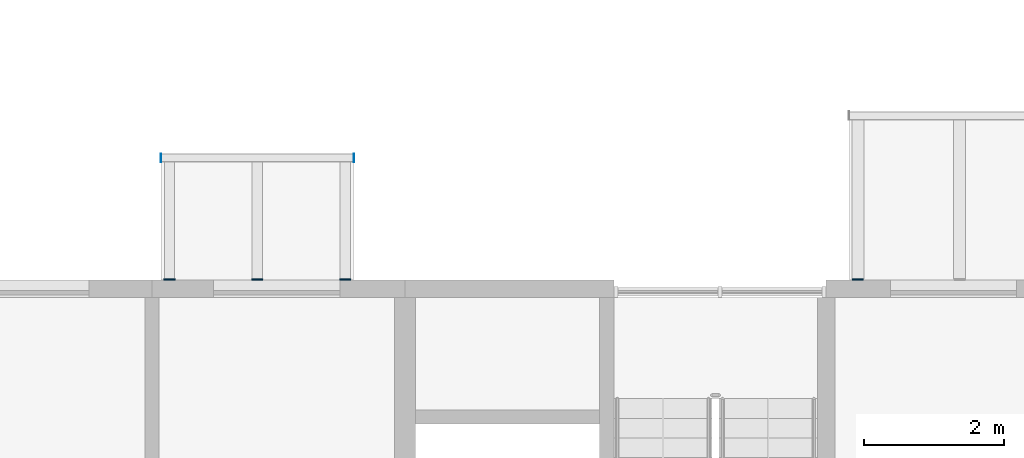
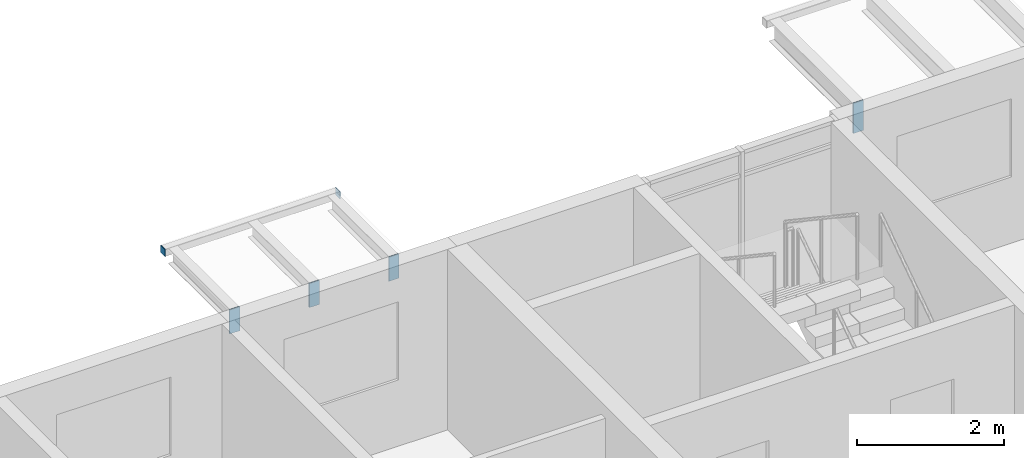
# One storey, part 71 of 94: 6 discrete accessories.
"""IFC4 building model written with IfcOpenShell, lengths in metres."""

import ifcopenshell
import ifcopenshell.guid

model = None  # the IFC model being written
_history = None  # IfcOwnerHistory: only IFC2X3 demands one
_inside = {}  # id of a spatial element -> (the spatial element, [elements in it])
_under = {}  # id of a project, library or spatial element -> (it, [spatial elements below it])
_declared = {}  # id of a project -> (the project, [libraries it declares])
_typed = {}  # id of a type object -> (the type object, [elements of that type])
_made_of = {}  # id of a material, layer set ... -> (it, [elements and type objects made of it])


def new_model(schema):
    """Start an empty IFC model of exactly this schema.

    Asked for "IFC4X3", IfcOpenShell would pick the latest addendum, in which some entities
    have other attributes; the version numbers below select the first issue.
    IFC2X3 requires an IfcOwnerHistory on every rooted entity: one is made here for all.
    """
    global model, _history
    if schema == "IFC4X3":
        model = ifcopenshell.file(schema_version=(4, 3, 0, 0))
    else:
        model = ifcopenshell.file(schema=schema)
    _inside.clear()
    _under.clear()
    _declared.clear()
    _typed.clear()
    _made_of.clear()
    _history = None
    if model.schema == "IFC2X3":
        org = make("IfcOrganization", Name="unknown")
        user = make(
            "IfcPersonAndOrganization",
            ThePerson=make("IfcPerson", FamilyName="unknown"),
            TheOrganization=org,
        )
        app = make(
            "IfcApplication",
            ApplicationDeveloper=org,
            Version="unknown",
            ApplicationFullName="unknown",
            ApplicationIdentifier="unknown",
        )
        _history = make(
            "IfcOwnerHistory",
            OwningUser=user,
            OwningApplication=app,
            ChangeAction="ADDED",
            CreationDate=0,
        )
    return model


def make(cls, **values):
    """One entity of the class cls with the attributes given. An attribute that is None is left unset."""
    return model.create_entity(
        cls, **{name: value for name, value in values.items() if value is not None}
    )


def rooted(cls, **values):
    """An entity with a GlobalId (a new one), such as an element, a storey or a relation."""
    return make(cls, GlobalId=ifcopenshell.guid.new(), OwnerHistory=_history, **values)


def si_unit(unit_type, name, prefix=None):
    """IfcSIUnit, for example si_unit("LENGTHUNIT", "METRE", prefix="MILLI")."""
    return make("IfcSIUnit", UnitType=unit_type, Prefix=prefix, Name=name)


def assignment(units):
    """IfcUnitAssignment: the units of a project."""
    return None if units is None else make("IfcUnitAssignment", Units=units)


def point(xyz):
    """IfcCartesianPoint."""
    return None if xyz is None else make("IfcCartesianPoint", Coordinates=xyz)


def direction(xyz):
    """IfcDirection."""
    return None if xyz is None else make("IfcDirection", DirectionRatios=xyz)


def frame(location, z_axis=None, x_axis=None):
    """IfcAxis2Placement3D, a coordinate frame: its origin and axes. An axis left out is left unset."""
    return make(
        "IfcAxis2Placement3D",
        Location=point(location),
        Axis=direction(z_axis),
        RefDirection=direction(x_axis),
    )


def frame_2d(location, x_axis=None):
    """IfcAxis2Placement2D, a coordinate frame in the plane: its origin and x axis."""
    return make(
        "IfcAxis2Placement2D", Location=point(location), RefDirection=direction(x_axis)
    )


def origin():
    """The frame at (0, 0, 0) with its axes left unset."""
    return frame((0.0, 0.0, 0.0))


def origin_2d():
    """The frame at (0, 0) in the plane with its x axis left unset."""
    return frame_2d((0.0, 0.0))


def place(relative_to, where):
    """IfcLocalPlacement: puts the frame where relative to a parent placement (None: the world)."""
    return make(
        "IfcLocalPlacement", PlacementRelTo=relative_to, RelativePlacement=where
    )


def context(
    kind, dimensions, precision=None, world=None, true_north=None, identifier=None
):
    """IfcGeometricRepresentationContext, for example the 3D "Model" context."""
    return make(
        "IfcGeometricRepresentationContext",
        ContextIdentifier=identifier,
        ContextType=kind,
        CoordinateSpaceDimension=dimensions,
        Precision=precision,
        WorldCoordinateSystem=world,
        TrueNorth=true_north,
    )


def subcontext(parent, identifier, kind, view, scale=None):
    """IfcGeometricRepresentationSubContext, for example "Body" below "Model"."""
    return make(
        "IfcGeometricRepresentationSubContext",
        ContextIdentifier=identifier,
        ContextType=kind,
        ParentContext=parent,
        TargetScale=scale,
        TargetView=view,
    )


def project(units=None, contexts=None):
    """IfcProject with its units and contexts."""
    return rooted(
        "IfcProject",
        Name="project",
        RepresentationContexts=contexts,
        UnitsInContext=assignment(units),
    )


def spatial(cls, under=None, at=None, **own):
    """A site, building, storey or space (cls), placed at a placement, below another one or the project."""
    s = rooted(cls, ObjectPlacement=at, **own)
    if under is not None:
        _under.setdefault(under.id(), (under, []))[1].append(s)
    return s


def profile(cls, at=None, kind="AREA", **sizes):
    """A parametric profile (cls). Its sizes go by their IFC names, for example OverallWidth=200.0."""
    return make(cls, ProfileType=kind, Position=at, **sizes)


def rectangle(**sizes):
    """IfcRectangleProfileDef."""
    return profile("IfcRectangleProfileDef", **sizes)


def extrude(swept, where, along, depth):
    """IfcExtrudedAreaSolid: the profile swept, set in the frame where, extruded along a direction by depth."""
    return make(
        "IfcExtrudedAreaSolid",
        SweptArea=swept,
        Position=where,
        ExtrudedDirection=direction(along),
        Depth=depth,
    )


def shape(context_of_items, identifier, shape_type, items):
    """IfcShapeRepresentation: the items that make up one representation, for example the "Body"."""
    return make(
        "IfcShapeRepresentation",
        ContextOfItems=context_of_items,
        RepresentationIdentifier=identifier,
        RepresentationType=shape_type,
        Items=items,
    )


def material(Name=None, Category=None):
    """IfcMaterial."""
    return make("IfcMaterial", Name=Name, Category=Category)


def layer(
    of_material, thickness, ventilated=None, Name=None, Category=None, Priority=None
):
    """IfcMaterialLayer: one layer of a wall or slab, of a material (None: an air gap)."""
    return make(
        "IfcMaterialLayer",
        Material=of_material,
        LayerThickness=thickness,
        IsVentilated=ventilated,
        Name=Name,
        Category=Category,
        Priority=Priority,
    )


def layer_set(layers, Name=None):
    """IfcMaterialLayerSet."""
    return make("IfcMaterialLayerSet", MaterialLayers=layers, LayerSetName=Name)


def made_of(thing, what):
    """Note that an element or type object is made of a material, layer set ...; save() writes the relation."""
    if what is not None:
        _made_of.setdefault(what.id(), (what, []))[1].append(thing)
    return thing


def type_object(cls, material=None, **own):
    """A type object (cls), such as IfcWallType, which elements share."""
    return made_of(rooted(cls, **own), material)


def element(
    cls,
    number,
    at=None,
    inside=None,
    cuts=None,
    type_object=None,
    material=None,
    context=None,
    identifier="Body",
    shape_type=None,
    held_by="IfcProductDefinitionShape",
    body=None,
    shapes=None,
    **own,
):
    """One element of the class cls, such as IfcWall. Its Tag is "e" and its number.

    at: its placement. inside: the storey or other place that contains it. cuts: it is an
    opening in that element (IfcRelVoidsElement). A single representation is given by context,
    identifier, shape_type and body (its items); several are given by shapes. held_by: the class
    of the entity that holds the representations. save() writes the other relations.
    """
    e = rooted(cls, Tag="e%d" % number, ObjectPlacement=at, **own)
    if body is not None:
        shapes = [shape(context, identifier, shape_type, body)]
    if shapes is not None:
        e.Representation = make(held_by, Representations=shapes)
    if inside is not None:
        _inside.setdefault(inside.id(), (inside, []))[1].append(e)
    if cuts is not None:
        rooted(
            "IfcRelVoidsElement", RelatingBuildingElement=cuts, RelatedOpeningElement=e
        )
    if type_object is not None:
        _typed.setdefault(type_object.id(), (type_object, []))[1].append(e)
    return made_of(e, material)


def aggregate(whole, parts):
    """IfcRelAggregates: a whole, such as a stair, and the parts it consists of."""
    return rooted("IfcRelAggregates", RelatingObject=whole, RelatedObjects=parts)


def save(model, path):
    """Write the relations noted so far, then the file.

    IfcRelAggregates (storeys below a building ...), IfcRelContainedInSpatialStructure (elements
    in a storey), IfcRelDefinesByType, IfcRelAssociatesMaterial and IfcRelDeclares: one each for
    every whole, place, type object, material and project.
    """
    for whole, parts in _under.values():
        aggregate(whole, parts)
    for where, things in _inside.values():
        rooted(
            "IfcRelContainedInSpatialStructure",
            RelatedElements=things,
            RelatingStructure=where,
        )
    for kind, things in _typed.values():
        rooted("IfcRelDefinesByType", RelatedObjects=things, RelatingType=kind)
    for what, things in _made_of.values():
        rooted("IfcRelAssociatesMaterial", RelatedObjects=things, RelatingMaterial=what)
    for by, libraries in _declared.values():
        rooted("IfcRelDeclares", RelatingContext=by, RelatedDefinitions=libraries)
    model.write(path)


model = new_model("IFC4")

# Units and contexts
model_context = context("Model", 3, precision=1e-05, world=origin(), true_north=direction((0.0, 1.0)))
body_context = subcontext(model_context, "Body", "Model", "MODEL_VIEW")
ifc_project = project(units=[si_unit("LENGTHUNIT", "METRE"), si_unit("AREAUNIT", "SQUARE_METRE"), si_unit("VOLUMEUNIT", "CUBIC_METRE"), si_unit("PLANEANGLEUNIT", "RADIAN"), si_unit("MASSUNIT", "GRAM", prefix="KILO")], contexts=[model_context])

# Site, building, storey
site_placement = place(None, origin())
site = spatial("IfcSite", under=ifc_project, at=site_placement, CompositionType="ELEMENT")
building_placement = place(site_placement, origin())
building = spatial("IfcBuilding", under=site, at=building_placement, Name="Ridgestep Commons", CompositionType="ELEMENT")
storey_placement = place(building_placement, frame((0.0, 0.0, 24.0)))
storey = spatial("IfcBuildingStorey", under=building, at=storey_placement, Name="L08", CompositionType="ELEMENT", Elevation=24.0)

# Discrete accessories
ifc_material_1 = material(Name="Weathering steel S355J2W", Category="steel")
ifc_layer_1 = layer(ifc_material_1, 0.014892578125)
ifc_layer_set_1 = layer_set([ifc_layer_1], Name="Tray bracket plate 15")
discrete_accessory_type_1 = type_object("IfcDiscreteAccessoryType", Name="Tray bracket plate 15", PredefinedType="BRACKET", material=ifc_layer_set_1)
for number, where, z_axis, x_axis, name in (
    (1, (227.449951171875, 23.007568359375, 2.588623046875), (0.0, 0.0, 1.0), (1.0, 0.0, 0.0), "Tray bracket D5T1-09.1"),
    (2, (228.699951171875, 23.007568359375, 2.588623046875), (0.0, 0.0, 1.0), (1.0, 0.0, 0.0), "Tray bracket D5T1-09.2"),
    (3, (229.949951171875, 23.007568359375, 2.588623046875), (0.0, 0.0, 1.0), (1.0, 0.0, 0.0), "Tray bracket D5T1-09.3"),
):
    element("IfcDiscreteAccessory", number, at=place(storey_placement, frame(where, z_axis=z_axis, x_axis=x_axis)), inside=storey, type_object=discrete_accessory_type_1, Name=name, PredefinedType="BRACKET", context=body_context, shape_type="SweptSolid", body=[
        extrude(rectangle(XDim=0.159912109375, YDim=0.014892578125, at=origin_2d()), origin(), (0.0, 0.0, 1.0), 0.4013671875),
    ])
discrete_accessory_placement = place(storey_placement, frame((237.25, 23.007568359375, 2.488525390625), z_axis=(0.0, 0.0, 1.0), x_axis=(1.0, 0.0, 0.0)))
element("IfcDiscreteAccessory", 4, at=discrete_accessory_placement, inside=storey, type_object=discrete_accessory_type_1, Name="Tray bracket D6T3-09.1", PredefinedType="BRACKET", context=body_context, shape_type="SweptSolid", body=[
    extrude(rectangle(XDim=0.159912109375, YDim=0.014892578125, at=origin_2d()), origin(), (0.0, 0.0, 1.0), 0.50146484375),
])
ifc_material_2 = material(Name="Weathering steel S355J2W", Category="steel")
ifc_layer_2 = layer(ifc_material_2, 0.008056640625)
ifc_layer_set_2 = layer_set([ifc_layer_2], Name="Tray edge member end plate 120 x 120 x 8")
discrete_accessory_type_2 = type_object("IfcDiscreteAccessoryType", Name="Tray edge member end plate 120 x 120 x 8", PredefinedType="BRACKET", material=ifc_layer_set_2)
for number, where, z_axis, x_axis, name in (
    (5, (227.325927734375, 24.739990234375, 2.869873046875), (0.0, 0.0, 1.0), (1.0, 0.0, 0.0), "Tray edge member end plate D5T1-09 west"),
    (6, (230.073974609375, 24.739990234375, 2.869873046875), (0.0, 0.0, 1.0), (1.0, 0.0, 0.0), "Tray edge member end plate D5T1-09 east"),
):
    element("IfcDiscreteAccessory", number, at=place(storey_placement, frame(where, z_axis=z_axis, x_axis=x_axis)), inside=storey, type_object=discrete_accessory_type_2, Name=name, PredefinedType="BRACKET", context=body_context, shape_type="SweptSolid", body=[
        extrude(rectangle(XDim=0.008056640625, YDim=0.1201171875, at=origin_2d()), origin(), (0.0, 0.0, 1.0), 0.1201171875),
    ])

save(model, "model.ifc")
